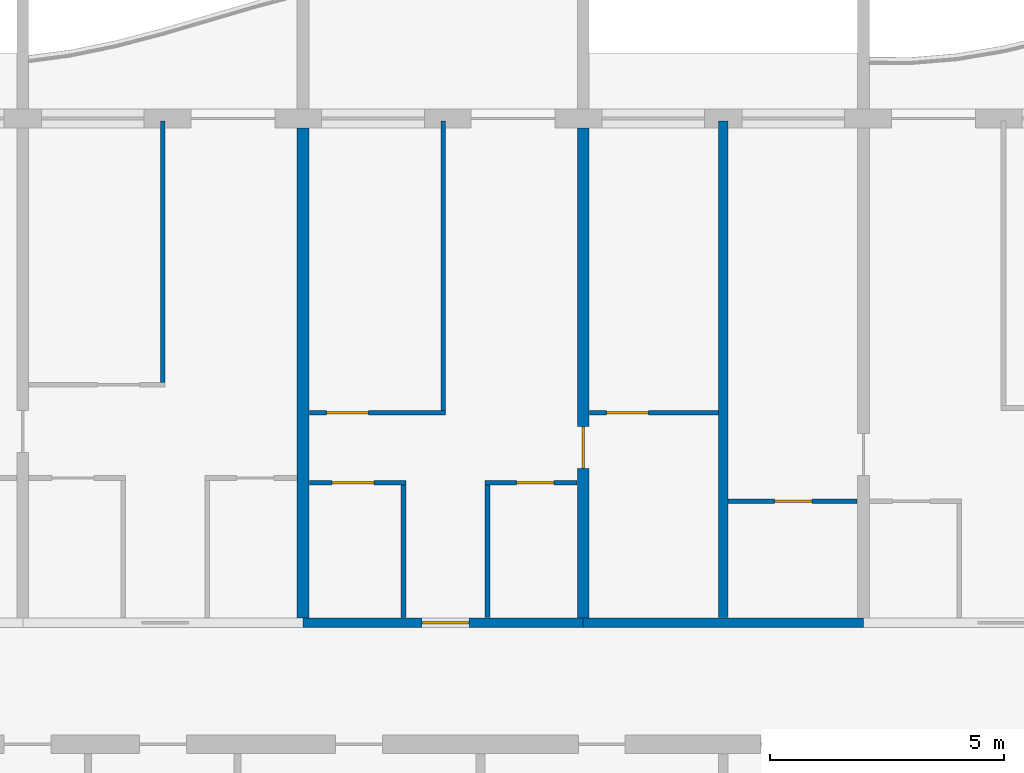
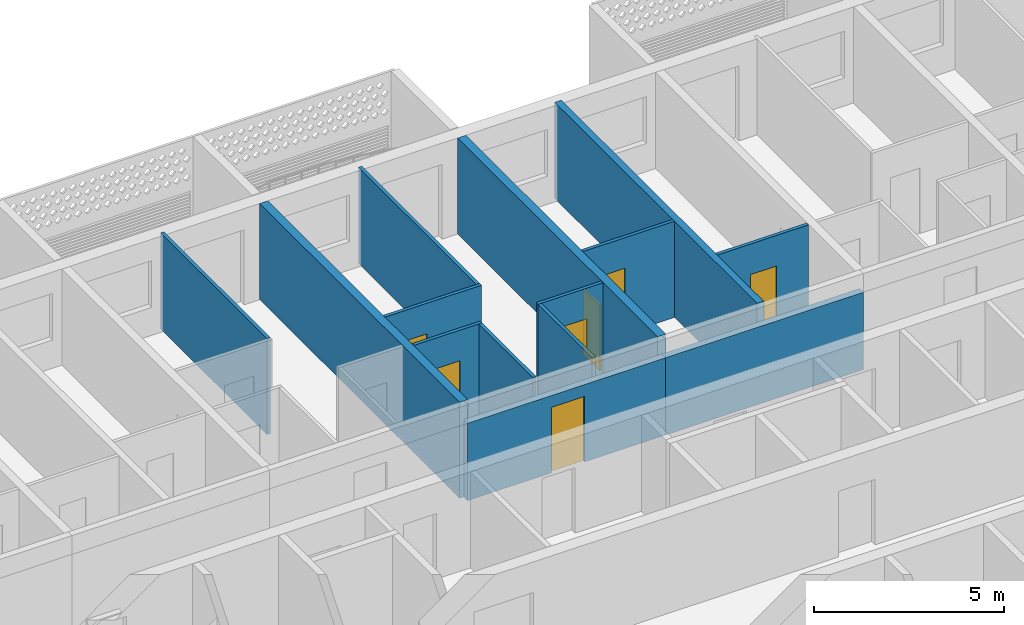
# One storey, part 9 of 26: 14 walls, 7 doors, 7 openings.
"""IFC4 building model written with IfcOpenShell, lengths in metres."""

import ifcopenshell
import ifcopenshell.guid

model = None  # the IFC model being written
_history = None  # IfcOwnerHistory: only IFC2X3 demands one
_inside = {}  # id of a spatial element -> (the spatial element, [elements in it])
_under = {}  # id of a project, library or spatial element -> (it, [spatial elements below it])
_declared = {}  # id of a project -> (the project, [libraries it declares])
_typed = {}  # id of a type object -> (the type object, [elements of that type])
_made_of = {}  # id of a material, layer set ... -> (it, [elements and type objects made of it])


def new_model(schema):
    """Start an empty IFC model of exactly this schema.

    Asked for "IFC4X3", IfcOpenShell would pick the latest addendum, in which some entities
    have other attributes; the version numbers below select the first issue.
    IFC2X3 requires an IfcOwnerHistory on every rooted entity: one is made here for all.
    """
    global model, _history
    if schema == "IFC4X3":
        model = ifcopenshell.file(schema_version=(4, 3, 0, 0))
    else:
        model = ifcopenshell.file(schema=schema)
    _inside.clear()
    _under.clear()
    _declared.clear()
    _typed.clear()
    _made_of.clear()
    _history = None
    if model.schema == "IFC2X3":
        org = make("IfcOrganization", Name="unknown")
        user = make(
            "IfcPersonAndOrganization",
            ThePerson=make("IfcPerson", FamilyName="unknown"),
            TheOrganization=org,
        )
        app = make(
            "IfcApplication",
            ApplicationDeveloper=org,
            Version="unknown",
            ApplicationFullName="unknown",
            ApplicationIdentifier="unknown",
        )
        _history = make(
            "IfcOwnerHistory",
            OwningUser=user,
            OwningApplication=app,
            ChangeAction="ADDED",
            CreationDate=0,
        )
    return model


def make(cls, **values):
    """One entity of the class cls with the attributes given. An attribute that is None is left unset."""
    return model.create_entity(
        cls, **{name: value for name, value in values.items() if value is not None}
    )


def rooted(cls, **values):
    """An entity with a GlobalId (a new one), such as an element, a storey or a relation."""
    return make(cls, GlobalId=ifcopenshell.guid.new(), OwnerHistory=_history, **values)


def si_unit(unit_type, name, prefix=None):
    """IfcSIUnit, for example si_unit("LENGTHUNIT", "METRE", prefix="MILLI")."""
    return make("IfcSIUnit", UnitType=unit_type, Prefix=prefix, Name=name)


def assignment(units):
    """IfcUnitAssignment: the units of a project."""
    return None if units is None else make("IfcUnitAssignment", Units=units)


def point(xyz):
    """IfcCartesianPoint."""
    return None if xyz is None else make("IfcCartesianPoint", Coordinates=xyz)


def direction(xyz):
    """IfcDirection."""
    return None if xyz is None else make("IfcDirection", DirectionRatios=xyz)


def frame(location, z_axis=None, x_axis=None):
    """IfcAxis2Placement3D, a coordinate frame: its origin and axes. An axis left out is left unset."""
    return make(
        "IfcAxis2Placement3D",
        Location=point(location),
        Axis=direction(z_axis),
        RefDirection=direction(x_axis),
    )


def frame_2d(location, x_axis=None):
    """IfcAxis2Placement2D, a coordinate frame in the plane: its origin and x axis."""
    return make(
        "IfcAxis2Placement2D", Location=point(location), RefDirection=direction(x_axis)
    )


def origin():
    """The frame at (0, 0, 0) with its axes left unset."""
    return frame((0.0, 0.0, 0.0))


def place(relative_to, where):
    """IfcLocalPlacement: puts the frame where relative to a parent placement (None: the world)."""
    return make(
        "IfcLocalPlacement", PlacementRelTo=relative_to, RelativePlacement=where
    )


def context(
    kind, dimensions, precision=None, world=None, true_north=None, identifier=None
):
    """IfcGeometricRepresentationContext, for example the 3D "Model" context."""
    return make(
        "IfcGeometricRepresentationContext",
        ContextIdentifier=identifier,
        ContextType=kind,
        CoordinateSpaceDimension=dimensions,
        Precision=precision,
        WorldCoordinateSystem=world,
        TrueNorth=true_north,
    )


def subcontext(parent, identifier, kind, view, scale=None):
    """IfcGeometricRepresentationSubContext, for example "Body" below "Model"."""
    return make(
        "IfcGeometricRepresentationSubContext",
        ContextIdentifier=identifier,
        ContextType=kind,
        ParentContext=parent,
        TargetScale=scale,
        TargetView=view,
    )


def project(units=None, contexts=None):
    """IfcProject with its units and contexts."""
    return rooted(
        "IfcProject",
        Name="project",
        RepresentationContexts=contexts,
        UnitsInContext=assignment(units),
    )


def spatial(cls, under=None, at=None, **own):
    """A site, building, storey or space (cls), placed at a placement, below another one or the project."""
    s = rooted(cls, ObjectPlacement=at, **own)
    if under is not None:
        _under.setdefault(under.id(), (under, []))[1].append(s)
    return s


def profile(cls, at=None, kind="AREA", **sizes):
    """A parametric profile (cls). Its sizes go by their IFC names, for example OverallWidth=200.0."""
    return make(cls, ProfileType=kind, Position=at, **sizes)


def rectangle(**sizes):
    """IfcRectangleProfileDef."""
    return profile("IfcRectangleProfileDef", **sizes)


def extrude(swept, where, along, depth):
    """IfcExtrudedAreaSolid: the profile swept, set in the frame where, extruded along a direction by depth."""
    return make(
        "IfcExtrudedAreaSolid",
        SweptArea=swept,
        Position=where,
        ExtrudedDirection=direction(along),
        Depth=depth,
    )


def shape(context_of_items, identifier, shape_type, items):
    """IfcShapeRepresentation: the items that make up one representation, for example the "Body"."""
    return make(
        "IfcShapeRepresentation",
        ContextOfItems=context_of_items,
        RepresentationIdentifier=identifier,
        RepresentationType=shape_type,
        Items=items,
    )


def material(Name=None, Category=None):
    """IfcMaterial."""
    return make("IfcMaterial", Name=Name, Category=Category)


def layer(
    of_material, thickness, ventilated=None, Name=None, Category=None, Priority=None
):
    """IfcMaterialLayer: one layer of a wall or slab, of a material (None: an air gap)."""
    return make(
        "IfcMaterialLayer",
        Material=of_material,
        LayerThickness=thickness,
        IsVentilated=ventilated,
        Name=Name,
        Category=Category,
        Priority=Priority,
    )


def layer_set(layers, Name=None):
    """IfcMaterialLayerSet."""
    return make("IfcMaterialLayerSet", MaterialLayers=layers, LayerSetName=Name)


def made_of(thing, what):
    """Note that an element or type object is made of a material, layer set ...; save() writes the relation."""
    if what is not None:
        _made_of.setdefault(what.id(), (what, []))[1].append(thing)
    return thing


def type_object(cls, material=None, **own):
    """A type object (cls), such as IfcWallType, which elements share."""
    return made_of(rooted(cls, **own), material)


def element(
    cls,
    number,
    at=None,
    inside=None,
    cuts=None,
    type_object=None,
    material=None,
    context=None,
    identifier="Body",
    shape_type=None,
    held_by="IfcProductDefinitionShape",
    body=None,
    shapes=None,
    **own,
):
    """One element of the class cls, such as IfcWall. Its Tag is "e" and its number.

    at: its placement. inside: the storey or other place that contains it. cuts: it is an
    opening in that element (IfcRelVoidsElement). A single representation is given by context,
    identifier, shape_type and body (its items); several are given by shapes. held_by: the class
    of the entity that holds the representations. save() writes the other relations.
    """
    e = rooted(cls, Tag="e%d" % number, ObjectPlacement=at, **own)
    if body is not None:
        shapes = [shape(context, identifier, shape_type, body)]
    if shapes is not None:
        e.Representation = make(held_by, Representations=shapes)
    if inside is not None:
        _inside.setdefault(inside.id(), (inside, []))[1].append(e)
    if cuts is not None:
        rooted(
            "IfcRelVoidsElement", RelatingBuildingElement=cuts, RelatedOpeningElement=e
        )
    if type_object is not None:
        _typed.setdefault(type_object.id(), (type_object, []))[1].append(e)
    return made_of(e, material)


def fill(opening, filler):
    """IfcRelFillsElement: the door or window that sits in an opening."""
    return rooted(
        "IfcRelFillsElement",
        RelatingOpeningElement=opening,
        RelatedBuildingElement=filler,
    )


def aggregate(whole, parts):
    """IfcRelAggregates: a whole, such as a stair, and the parts it consists of."""
    return rooted("IfcRelAggregates", RelatingObject=whole, RelatedObjects=parts)


def save(model, path):
    """Write the relations noted so far, then the file.

    IfcRelAggregates (storeys below a building ...), IfcRelContainedInSpatialStructure (elements
    in a storey), IfcRelDefinesByType, IfcRelAssociatesMaterial and IfcRelDeclares: one each for
    every whole, place, type object, material and project.
    """
    for whole, parts in _under.values():
        aggregate(whole, parts)
    for where, things in _inside.values():
        rooted(
            "IfcRelContainedInSpatialStructure",
            RelatedElements=things,
            RelatingStructure=where,
        )
    for kind, things in _typed.values():
        rooted("IfcRelDefinesByType", RelatedObjects=things, RelatingType=kind)
    for what, things in _made_of.values():
        rooted("IfcRelAssociatesMaterial", RelatedObjects=things, RelatingMaterial=what)
    for by, libraries in _declared.values():
        rooted("IfcRelDeclares", RelatingContext=by, RelatedDefinitions=libraries)
    model.write(path)


model = new_model("IFC4")

# Units and contexts
model_context = context("Model", 3, precision=1e-05, world=origin(), true_north=direction((0.0, 1.0)))
body_context = subcontext(model_context, "Body", "Model", "MODEL_VIEW")
ifc_project = project(units=[si_unit("LENGTHUNIT", "METRE"), si_unit("AREAUNIT", "SQUARE_METRE"), si_unit("VOLUMEUNIT", "CUBIC_METRE"), si_unit("PLANEANGLEUNIT", "RADIAN"), si_unit("MASSUNIT", "GRAM", prefix="KILO")], contexts=[model_context])

# Site, building, storey
site_placement = place(None, origin())
site = spatial("IfcSite", under=ifc_project, at=site_placement, CompositionType="ELEMENT")
building_placement = place(site_placement, origin())
building = spatial("IfcBuilding", under=site, at=building_placement, Name="Poui Terraces", CompositionType="ELEMENT")
storey_placement = place(building_placement, frame((0.0, 0.0, 171.89990234375)))
storey = spatial("IfcBuildingStorey", under=building, at=storey_placement, Name="L47", CompositionType="ELEMENT", Elevation=171.89990234375)

# Wall, opening, door
ifc_material_1 = material(Name="Concrete 50 MPa", Category="concrete")
ifc_layer_1 = layer(ifc_material_1, 0.199951171875)
ifc_layer_set_1 = layer_set([ifc_layer_1], Name="Concrete 50 MPa")
wall_type_1 = type_object("IfcWallType", Name="CORRIDOR WALL 200 50MPa", PredefinedType="SHEAR", material=ifc_layer_set_1)
wall_1_placement = place(storey_placement, frame((54.0, 30.39990234375, 0.0), z_axis=(0.0, 0.0, 1.0), x_axis=(1.0, 0.0, 0.0)))
wall_1 = element("IfcWall", 1, at=wall_1_placement, inside=storey, type_object=wall_type_1, Name="CORRIDOR WALL LINE E BAY 7", PredefinedType="SHEAR", context=body_context, shape_type="SweptSolid", body=[
    extrude(rectangle(XDim=6.0, YDim=0.199951171875, at=frame_2d((3.0, 0.0))), origin(), (0.0, 0.0, 1.0), 2.47998046875),
])
opening_1_placement = place(wall_1_placement, frame((2.550048828125, 0.0, 0.0)))
opening_1 = element("IfcOpeningElement", 2, at=opening_1_placement, cuts=wall_1, Name="Opening FD30S", PredefinedType="OPENING", context=body_context, shape_type="SweptSolid", body=[
    extrude(rectangle(XDim=1.0, YDim=2.10009765625, at=frame_2d((0.5, 1.050048828125))), frame((0.0, 0.10986328125, 0.0), z_axis=(0.0, -1.0, 0.0), x_axis=(1.0, 0.0, 0.0)), (0.0, 0.0, 1.0), 0.219970703125),
])
ifc_material_2 = material(Name="Steel fire door", Category="steel")
door_type_1 = type_object("IfcDoorType", Name="FLAT ENTRANCE DOOR 1000 X 2100", OperationType="NOTDEFINED", PredefinedType="DOOR", material=ifc_material_2)
door_1_placement = place(opening_1_placement, origin())
door_1 = element("IfcDoor", 3, at=door_1_placement, inside=storey, type_object=door_type_1, Name="FLAT ENTRANCE DOOR 048", OperationType="SINGLE_SWING_RIGHT", OverallHeight=2.10009765625, OverallWidth=1.0, PredefinedType="DOOR", context=body_context, shape_type="SweptSolid", body=[
    extrude(rectangle(XDim=1.0, YDim=2.10009765625, at=frame_2d((0.5, 1.050048828125))), frame((0.0, 0.02490234375, 0.0), z_axis=(0.0, -1.0, 0.0), x_axis=(1.0, 0.0, 0.0)), (0.0, 0.0, 1.0), 0.050048828125),
])
fill(opening_1, door_1)

# Walls
wall_2_placement = place(storey_placement, frame((60.0, 30.39990234375, 0.0), z_axis=(0.0, 0.0, 1.0), x_axis=(1.0, 0.0, 0.0)))
element("IfcWall", 4, at=wall_2_placement, inside=storey, type_object=wall_type_1, Name="CORRIDOR WALL LINE E BAY 8", PredefinedType="SHEAR", context=body_context, shape_type="SweptSolid", body=[
    extrude(rectangle(XDim=6.0, YDim=0.199951171875, at=frame_2d((3.0, 0.0))), origin(), (0.0, 0.0, 1.0), 2.47998046875),
])
ifc_layer_2 = layer(ifc_material_1, 0.25)
ifc_layer_set_2 = layer_set([ifc_layer_2], Name="Concrete 50 MPa")
wall_type_2 = type_object("IfcWallType", Name="CROSS WALL 250 50MPa", PredefinedType="SHEAR", material=ifc_layer_set_2)
wall_3_placement = place(storey_placement, frame((54.0, 30.5, 0.0), z_axis=(0.0, 0.0, 1.0), x_axis=(0.0, 1.0, 0.0)))
element("IfcWall", 5, at=wall_3_placement, inside=storey, type_object=wall_type_2, Name="CROSS WALL LINE 10 NORTH", PredefinedType="SHEAR", context=body_context, shape_type="SweptSolid", body=[
    extrude(rectangle(XDim=10.5, YDim=0.25, at=frame_2d((5.25, 0.0))), origin(), (0.0, 0.0, 1.0), 3.080078125),
])

# Wall, opening, door
wall_4_placement = place(storey_placement, frame((60.0, 30.5, 0.0), z_axis=(0.0, 0.0, 1.0), x_axis=(0.0, 1.0, 0.0)))
wall_4 = element("IfcWall", 6, at=wall_4_placement, inside=storey, type_object=wall_type_2, Name="CROSS WALL LINE 11 NORTH", PredefinedType="SHEAR", context=body_context, shape_type="SweptSolid", body=[
    extrude(rectangle(XDim=10.5, YDim=0.25, at=frame_2d((5.25, 0.0))), origin(), (0.0, 0.0, 1.0), 3.080078125),
])
opening_2_placement = place(wall_4_placement, frame((3.199951171875, 0.0, 0.0)))
opening_2 = element("IfcOpeningElement", 7, at=opening_2_placement, cuts=wall_4, Name="Opening D90", PredefinedType="OPENING", context=body_context, shape_type="SweptSolid", body=[
    extrude(rectangle(XDim=0.89990234375, YDim=2.10009765625, at=frame_2d((0.449951171875, 1.050048828125))), frame((0.0, 0.135009765625, 0.0), z_axis=(0.0, -1.0, 0.0), x_axis=(1.0, 0.0, 0.0)), (0.0, 0.0, 1.0), 0.27001953125),
])
ifc_material_3 = material(Name="Solid core timber door", Category="wood")
door_type_2 = type_object("IfcDoorType", Name="INTERNAL DOOR 900 X 2100", OperationType="NOTDEFINED", PredefinedType="DOOR", material=ifc_material_3)
door_2_placement = place(opening_2_placement, origin())
door_2 = element("IfcDoor", 8, at=door_2_placement, inside=storey, type_object=door_type_2, Name="INTERNAL DOOR 050", OperationType="SINGLE_SWING_LEFT", OverallHeight=2.10009765625, OverallWidth=0.89990234375, PredefinedType="DOOR", context=body_context, shape_type="SweptSolid", body=[
    extrude(rectangle(XDim=0.89990234375, YDim=2.10009765625, at=frame_2d((0.449951171875, 1.050048828125))), frame((0.0, 0.02490234375, 0.0), z_axis=(0.0, -1.0, 0.0), x_axis=(1.0, 0.0, 0.0)), (0.0, 0.0, 1.0), 0.050048828125),
])
fill(opening_2, door_2)

ifc_material_4 = material(Name="Plasterboard partition")
ifc_layer_3 = layer(ifc_material_4, 0.10009765625)
ifc_layer_set_3 = layer_set([ifc_layer_3], Name="Plasterboard partition")
wall_type_3 = type_object("IfcWallType", Name="FLAT PARTITION 100", PredefinedType="PARTITIONING", material=ifc_layer_set_3)
wall_5_placement = place(storey_placement, frame((63.10009765625, 33.0, 0.0), z_axis=(0.0, 0.0, 1.0), x_axis=(1.0, 0.0, 0.0)))
wall_5 = element("IfcWall", 9, at=wall_5_placement, inside=storey, type_object=wall_type_3, Name="FLAT PARTITION 100", PredefinedType="PARTITIONING", context=body_context, shape_type="SweptSolid", body=[
    extrude(rectangle(XDim=2.764892578125, YDim=0.10009765625, at=frame_2d((1.38232421875, 0.0))), origin(), (0.0, 0.0, 1.0), 3.080078125),
])
opening_3_placement = place(wall_5_placement, frame((1.0, 0.0, 0.0)))
opening_3 = element("IfcOpeningElement", 10, at=opening_3_placement, cuts=wall_5, Name="Opening D80", PredefinedType="OPENING", context=body_context, shape_type="SweptSolid", body=[
    extrude(rectangle(XDim=0.800048828125, YDim=2.10009765625, at=frame_2d((0.39990234375, 1.050048828125))), frame((0.0, 0.06005859375, 0.0), z_axis=(0.0, -1.0, 0.0), x_axis=(1.0, 0.0, 0.0)), (0.0, 0.0, 1.0), 0.1201171875),
])
door_type_3 = type_object("IfcDoorType", Name="BATHROOM, LAUNDRY AND STORE DOOR 800 X 2100", OperationType="NOTDEFINED", PredefinedType="DOOR", material=ifc_material_3)
door_3_placement = place(opening_3_placement, frame((0.800048828125, 0.0, 0.0), z_axis=(0.0, 0.0, 1.0), x_axis=(-1.0, 0.0, 0.0)))
door_3 = element("IfcDoor", 11, at=door_3_placement, inside=storey, type_object=door_type_3, Name="BATHROOM, LAUNDRY AND STORE DOOR 051", OperationType="SINGLE_SWING_LEFT", OverallHeight=2.10009765625, OverallWidth=0.800048828125, PredefinedType="DOOR", context=body_context, shape_type="SweptSolid", body=[
    extrude(rectangle(XDim=0.800048828125, YDim=2.10009765625, at=frame_2d((0.39990234375, 1.050048828125))), frame((0.0, 0.02490234375, 0.0), z_axis=(0.0, -1.0, 0.0), x_axis=(1.0, 0.0, 0.0)), (0.0, 0.0, 1.0), 0.050048828125),
])
fill(opening_3, door_3)

wall_6_placement = place(storey_placement, frame((54.135009765625, 33.39990234375, 0.0), z_axis=(0.0, 0.0, 1.0), x_axis=(1.0, 0.0, 0.0)))
wall_6 = element("IfcWall", 12, at=wall_6_placement, inside=storey, type_object=wall_type_3, Name="FLAT PARTITION 100", PredefinedType="PARTITIONING", context=body_context, shape_type="SweptSolid", body=[
    extrude(rectangle(XDim=2.06494140625, YDim=0.10009765625, at=frame_2d((1.032470703125, 0.0))), origin(), (0.0, 0.0, 1.0), 3.080078125),
])
opening_4_placement = place(wall_6_placement, frame((0.489990234375, 0.0, 0.0)))
opening_4 = element("IfcOpeningElement", 13, at=opening_4_placement, cuts=wall_6, Name="Opening D90", PredefinedType="OPENING", context=body_context, shape_type="SweptSolid", body=[
    extrude(rectangle(XDim=0.89990234375, YDim=2.10009765625, at=frame_2d((0.449951171875, 1.050048828125))), frame((0.0, 0.06005859375, 0.0), z_axis=(0.0, -1.0, 0.0), x_axis=(1.0, 0.0, 0.0)), (0.0, 0.0, 1.0), 0.1201171875),
])
door_4_placement = place(opening_4_placement, frame((0.89990234375, 0.0, 0.0), z_axis=(0.0, 0.0, 1.0), x_axis=(-1.0, 0.0, 0.0)))
door_4 = element("IfcDoor", 14, at=door_4_placement, inside=storey, type_object=door_type_2, Name="INTERNAL DOOR 047", OperationType="SINGLE_SWING_RIGHT", OverallHeight=2.10009765625, OverallWidth=0.89990234375, PredefinedType="DOOR", context=body_context, shape_type="SweptSolid", body=[
    extrude(rectangle(XDim=0.89990234375, YDim=2.10009765625, at=frame_2d((0.449951171875, 1.050048828125))), frame((0.0, 0.02490234375, 0.0), z_axis=(0.0, -1.0, 0.0), x_axis=(1.0, 0.0, 0.0)), (0.0, 0.0, 1.0), 0.050048828125),
])
fill(opening_4, door_4)

wall_7_placement = place(storey_placement, frame((57.89990234375, 33.39990234375, 0.0), z_axis=(0.0, 0.0, 1.0), x_axis=(1.0, 0.0, 0.0)))
wall_7 = element("IfcWall", 15, at=wall_7_placement, inside=storey, type_object=wall_type_3, Name="FLAT PARTITION 100", PredefinedType="PARTITIONING", context=body_context, shape_type="SweptSolid", body=[
    extrude(rectangle(XDim=1.965087890625, YDim=0.10009765625, at=frame_2d((0.982421875, 0.0))), origin(), (0.0, 0.0, 1.0), 3.080078125),
])
opening_5_placement = place(wall_7_placement, frame((0.675048828125, 0.0, 0.0)))
opening_5 = element("IfcOpeningElement", 16, at=opening_5_placement, cuts=wall_7, Name="Opening D80", PredefinedType="OPENING", context=body_context, shape_type="SweptSolid", body=[
    extrude(rectangle(XDim=0.800048828125, YDim=2.10009765625, at=frame_2d((0.39990234375, 1.050048828125))), frame((0.0, 0.06005859375, 0.0), z_axis=(0.0, -1.0, 0.0), x_axis=(1.0, 0.0, 0.0)), (0.0, 0.0, 1.0), 0.1201171875),
])
door_5_placement = place(opening_5_placement, frame((0.800048828125, 0.0, 0.0), z_axis=(0.0, 0.0, 1.0), x_axis=(-1.0, 0.0, 0.0)))
door_5 = element("IfcDoor", 17, at=door_5_placement, inside=storey, type_object=door_type_3, Name="BATHROOM, LAUNDRY AND STORE DOOR 049", OperationType="SINGLE_SWING_LEFT", OverallHeight=2.10009765625, OverallWidth=0.800048828125, PredefinedType="DOOR", context=body_context, shape_type="SweptSolid", body=[
    extrude(rectangle(XDim=0.800048828125, YDim=2.10009765625, at=frame_2d((0.39990234375, 1.050048828125))), frame((0.0, 0.02490234375, 0.0), z_axis=(0.0, -1.0, 0.0), x_axis=(1.0, 0.0, 0.0)), (0.0, 0.0, 1.0), 0.050048828125),
])
fill(opening_5, door_5)

wall_8_placement = place(storey_placement, frame((54.135009765625, 34.89990234375, 0.0), z_axis=(0.0, 0.0, 1.0), x_axis=(1.0, 0.0, 0.0)))
wall_8 = element("IfcWall", 18, at=wall_8_placement, inside=storey, type_object=wall_type_3, Name="FLAT PARTITION 100", PredefinedType="PARTITIONING", context=body_context, shape_type="SweptSolid", body=[
    extrude(rectangle(XDim=2.9150390625, YDim=0.10009765625, at=frame_2d((1.45751953125, 0.0))), origin(), (0.0, 0.0, 1.0), 3.080078125),
])
opening_6_placement = place(wall_8_placement, frame((0.364990234375, 0.0, 0.0)))
opening_6 = element("IfcOpeningElement", 19, at=opening_6_placement, cuts=wall_8, Name="Opening D90", PredefinedType="OPENING", context=body_context, shape_type="SweptSolid", body=[
    extrude(rectangle(XDim=0.89990234375, YDim=2.10009765625, at=frame_2d((0.449951171875, 1.050048828125))), frame((0.0, 0.06005859375, 0.0), z_axis=(0.0, -1.0, 0.0), x_axis=(1.0, 0.0, 0.0)), (0.0, 0.0, 1.0), 0.1201171875),
])
door_6_placement = place(opening_6_placement, frame((0.89990234375, 0.0, 0.0), z_axis=(0.0, 0.0, 1.0), x_axis=(-1.0, 0.0, 0.0)))
door_6 = element("IfcDoor", 20, at=door_6_placement, inside=storey, type_object=door_type_2, Name="INTERNAL DOOR 046", OperationType="SINGLE_SWING_LEFT", OverallHeight=2.10009765625, OverallWidth=0.89990234375, PredefinedType="DOOR", context=body_context, shape_type="SweptSolid", body=[
    extrude(rectangle(XDim=0.89990234375, YDim=2.10009765625, at=frame_2d((0.449951171875, 1.050048828125))), frame((0.0, 0.02490234375, 0.0), z_axis=(0.0, -1.0, 0.0), x_axis=(1.0, 0.0, 0.0)), (0.0, 0.0, 1.0), 0.050048828125),
])
fill(opening_6, door_6)

wall_9_placement = place(storey_placement, frame((60.135009765625, 34.89990234375, 0.0), z_axis=(0.0, 0.0, 1.0), x_axis=(1.0, 0.0, 0.0)))
wall_9 = element("IfcWall", 21, at=wall_9_placement, inside=storey, type_object=wall_type_3, Name="FLAT PARTITION 100", PredefinedType="PARTITIONING", context=body_context, shape_type="SweptSolid", body=[
    extrude(rectangle(XDim=2.764892578125, YDim=0.10009765625, at=frame_2d((1.38232421875, 0.0))), origin(), (0.0, 0.0, 1.0), 3.080078125),
])
opening_7_placement = place(wall_9_placement, frame((0.364990234375, 0.0, 0.0)))
opening_7 = element("IfcOpeningElement", 22, at=opening_7_placement, cuts=wall_9, Name="Opening D90", PredefinedType="OPENING", context=body_context, shape_type="SweptSolid", body=[
    extrude(rectangle(XDim=0.89990234375, YDim=2.10009765625, at=frame_2d((0.449951171875, 1.050048828125))), frame((0.0, 0.06005859375, 0.0), z_axis=(0.0, -1.0, 0.0), x_axis=(1.0, 0.0, 0.0)), (0.0, 0.0, 1.0), 0.1201171875),
])
door_7_placement = place(opening_7_placement, origin())
door_7 = element("IfcDoor", 23, at=door_7_placement, inside=storey, type_object=door_type_2, Name="INTERNAL DOOR 045", OperationType="SINGLE_SWING_LEFT", OverallHeight=2.10009765625, OverallWidth=0.89990234375, PredefinedType="DOOR", context=body_context, shape_type="SweptSolid", body=[
    extrude(rectangle(XDim=0.89990234375, YDim=2.10009765625, at=frame_2d((0.449951171875, 1.050048828125))), frame((0.0, 0.02490234375, 0.0), z_axis=(0.0, -1.0, 0.0), x_axis=(1.0, 0.0, 0.0)), (0.0, 0.0, 1.0), 0.050048828125),
])
fill(opening_7, door_7)

# Walls
wall_10_placement = place(storey_placement, frame((51.0, 35.550048828125, 0.0), z_axis=(0.0, 0.0, 1.0), x_axis=(0.0, 1.0, 0.0)))
element("IfcWall", 24, at=wall_10_placement, inside=storey, type_object=wall_type_3, Name="FLAT PARTITION 100", PredefinedType="PARTITIONING", context=body_context, shape_type="SweptSolid", body=[
    extrude(rectangle(XDim=5.58984375, YDim=0.10009765625, at=frame_2d((2.794921875, 0.0))), origin(), (0.0, 0.0, 1.0), 3.080078125),
])
wall_11_placement = place(storey_placement, frame((56.14990234375, 30.510009765625, 0.0), z_axis=(0.0, 0.0, 1.0), x_axis=(0.0, 1.0, 0.0)))
element("IfcWall", 25, at=wall_11_placement, inside=storey, type_object=wall_type_3, Name="FLAT PARTITION 100", PredefinedType="PARTITIONING", context=body_context, shape_type="SweptSolid", body=[
    extrude(rectangle(XDim=2.840087890625, YDim=0.10009765625, at=frame_2d((1.419921875, 0.0))), origin(), (0.0, 0.0, 1.0), 3.080078125),
])
wall_12_placement = place(storey_placement, frame((57.0, 34.949951171875, 0.0), z_axis=(0.0, 0.0, 1.0), x_axis=(0.0, 1.0, 0.0)))
element("IfcWall", 26, at=wall_12_placement, inside=storey, type_object=wall_type_3, Name="FLAT PARTITION 100", PredefinedType="PARTITIONING", context=body_context, shape_type="SweptSolid", body=[
    extrude(rectangle(XDim=6.18994140625, YDim=0.10009765625, at=frame_2d((3.094970703125, 0.0))), origin(), (0.0, 0.0, 1.0), 3.080078125),
])
wall_13_placement = place(storey_placement, frame((57.949951171875, 30.510009765625, 0.0), z_axis=(0.0, 0.0, 1.0), x_axis=(0.0, 1.0, 0.0)))
element("IfcWall", 27, at=wall_13_placement, inside=storey, type_object=wall_type_3, Name="FLAT PARTITION 100", PredefinedType="PARTITIONING", context=body_context, shape_type="SweptSolid", body=[
    extrude(rectangle(XDim=2.840087890625, YDim=0.10009765625, at=frame_2d((1.419921875, 0.0))), origin(), (0.0, 0.0, 1.0), 3.080078125),
])
ifc_material_5 = material(Name="Fire-rated masonry wall", Category="masonry")
ifc_layer_4 = layer(ifc_material_5, 0.199951171875)
ifc_layer_set_4 = layer_set([ifc_layer_4], Name="Fire-rated masonry wall")
wall_type_4 = type_object("IfcWallType", Name="FLAT PARTY WALL 200", PredefinedType="PARTITIONING", material=ifc_layer_set_4)
wall_14_placement = place(storey_placement, frame((63.0, 30.510009765625, 0.0), z_axis=(0.0, 0.0, 1.0), x_axis=(0.0, 1.0, 0.0)))
element("IfcWall", 28, at=wall_14_placement, inside=storey, type_object=wall_type_4, Name="FLAT PARTY WALL 200", PredefinedType="PARTITIONING", context=body_context, shape_type="SweptSolid", body=[
    extrude(rectangle(XDim=10.6298828125, YDim=0.199951171875, at=frame_2d((5.31494140625, 0.0))), origin(), (0.0, 0.0, 1.0), 3.080078125),
])

save(model, "model.ifc")
